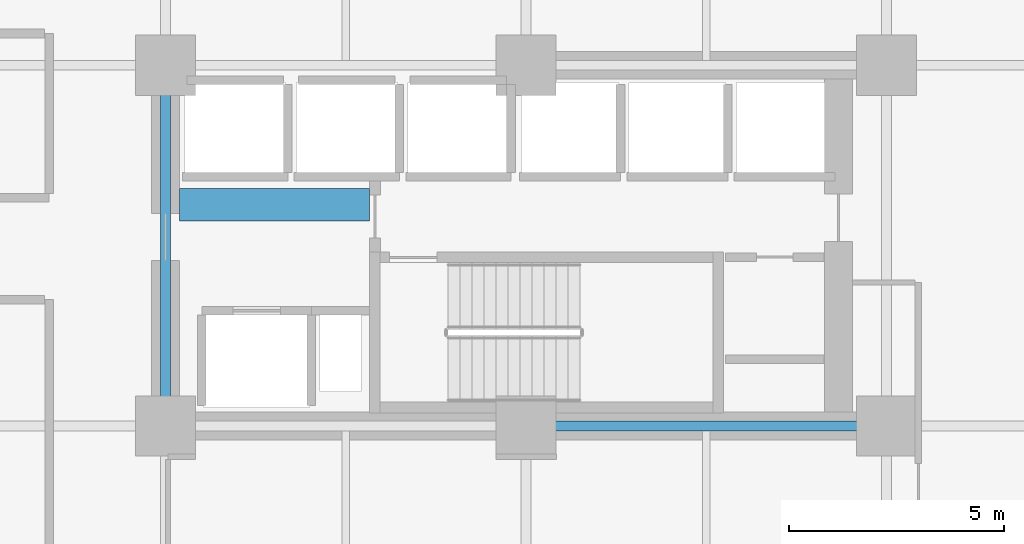
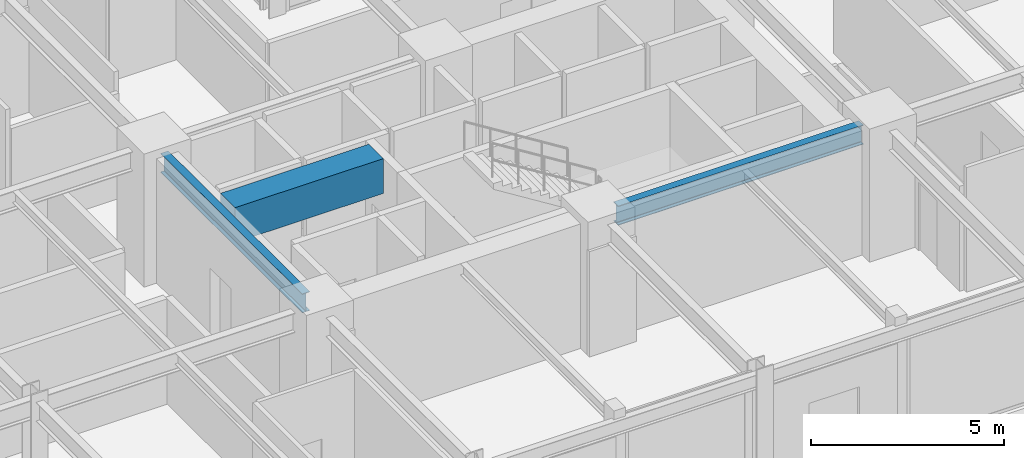
# One storey, part 7 of 27: 3 beams.
"""IFC4 building model written with IfcOpenShell, lengths in metres."""

from ifc_helpers import new_model, si_unit, direction, frame, origin, origin_2d, place, context, subcontext, project, spatial, rectangle, i_section, extrude, material, material_profile, profile_set, type_object, element, save


model = new_model("IFC4")

# Units and contexts
model_context = context("Model", 3, precision=1e-05, world=origin(), true_north=direction((0.0, 1.0)))
body_context = subcontext(model_context, "Body", "Model", "MODEL_VIEW")
ifc_project = project(units=[si_unit("LENGTHUNIT", "METRE"), si_unit("AREAUNIT", "SQUARE_METRE"), si_unit("VOLUMEUNIT", "CUBIC_METRE"), si_unit("PLANEANGLEUNIT", "RADIAN"), si_unit("MASSUNIT", "GRAM", prefix="KILO")], contexts=[model_context])

# Site, building, storey
site_placement = place(None, origin())
site = spatial("IfcSite", under=ifc_project, at=site_placement, CompositionType="ELEMENT")
building_placement = place(site_placement, origin())
building = spatial("IfcBuilding", under=site, at=building_placement, Name="Nerrivon Quay Data Exchange", CompositionType="ELEMENT")
storey_placement = place(building_placement, frame((0.0, 0.0, 66.800048828125)))
storey = spatial("IfcBuildingStorey", under=building, at=storey_placement, Name="L15", CompositionType="ELEMENT", Elevation=66.800048828125)

# Beams
ifc_material_1 = material(Name="Concrete S65 (65 MPa)", Category="concrete")
ifc_material_profile_1 = material_profile(ifc_material_1, rectangle(XDim=0.75, YDim=1.10009765625, at=origin_2d()), Name="RC-CB-750x1100")
ifc_profile_set_1 = profile_set([ifc_material_profile_1], Name="Concrete S65 (65 MPa)")
beam_type_1 = type_object("IfcBeamType", Name="BM-CB1-750x1100", PredefinedType="LINTEL", material=ifc_profile_set_1)
beam_1_placement = place(storey_placement, frame((17.125, 13.550048828125, 3.375), z_axis=(1.0, 0.0, 0.0), x_axis=(0.0, 1.0, 0.0)))
element("IfcBeam", 1, at=beam_1_placement, inside=storey, type_object=beam_type_1, Name="L15 East Core Coupling Beam", PredefinedType="LINTEL", context=body_context, shape_type="SweptSolid", body=[
    extrude(rectangle(XDim=0.75, YDim=1.10009765625, at=origin_2d()), origin(), (0.0, 0.0, 1.0), 4.429931640625),
])
ifc_material_2 = material(Name="Steel Grade 350", Category="steel")
ifc_material_profile_2 = material_profile(ifc_material_2, i_section(OverallWidth=0.22900390625, OverallDepth=0.612060546875, WebThickness=0.011962890625, FlangeThickness=0.01953125, FilletRadius=0.013916015625, at=origin_2d()), Name="610UB125")
ifc_profile_set_2 = profile_set([ifc_material_profile_2], Name="Steel Grade 350")
beam_type_2 = type_object("IfcBeamType", Name="BM-G1-610UB125", PredefinedType="BEAM", material=ifc_profile_set_2)
beam_2_placement = place(storey_placement, frame((25.739990234375, 8.39990234375, 3.618896484375), z_axis=(1.0, 0.0, 0.0), x_axis=(0.0, 1.0, 0.0)))
element("IfcBeam", 2, at=beam_2_placement, inside=storey, type_object=beam_type_2, Name="L15 EW Girder Y=8.4 (25.2..33.6)", PredefinedType="BEAM", context=body_context, shape_type="SweptSolid", body=[
    extrude(i_section(OverallWidth=0.22900390625, OverallDepth=0.612060546875, WebThickness=0.011962890625, FlangeThickness=0.01953125, FilletRadius=0.013916015625, at=origin_2d()), origin(), (0.0, 0.0, 1.0), 7.320068359375),
])
ifc_material_profile_3 = material_profile(ifc_material_2, i_section(OverallWidth=0.22802734375, OverallDepth=0.60205078125, WebThickness=0.010498046875, FlangeThickness=0.014892578125, FilletRadius=0.013916015625, at=origin_2d()), Name="610UB101")
ifc_profile_set_3 = profile_set([ifc_material_profile_3], Name="Steel Grade 350")
beam_type_3 = type_object("IfcBeamType", Name="BM-G2-610UB101", PredefinedType="BEAM", material=ifc_profile_set_3)
beam_3_placement = place(storey_placement, frame((16.800048828125, 8.93994140625, 3.6240234375), z_axis=(0.0, 1.0, 0.0), x_axis=(-1.0, 0.0, 0.0)))
element("IfcBeam", 3, at=beam_3_placement, inside=storey, type_object=beam_type_3, Name="L15 NS Girder X=16.8 (8.4..16.8)", PredefinedType="BEAM", context=body_context, shape_type="SweptSolid", body=[
    extrude(i_section(OverallWidth=0.22802734375, OverallDepth=0.60205078125, WebThickness=0.010498046875, FlangeThickness=0.014892578125, FilletRadius=0.013916015625, at=origin_2d()), origin(), (0.0, 0.0, 1.0), 7.320068359375),
])

save(model, "model.ifc")
